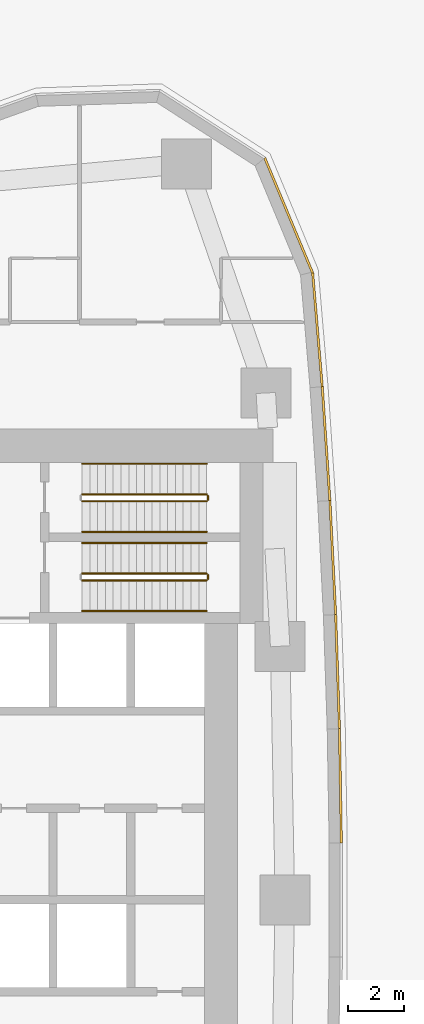
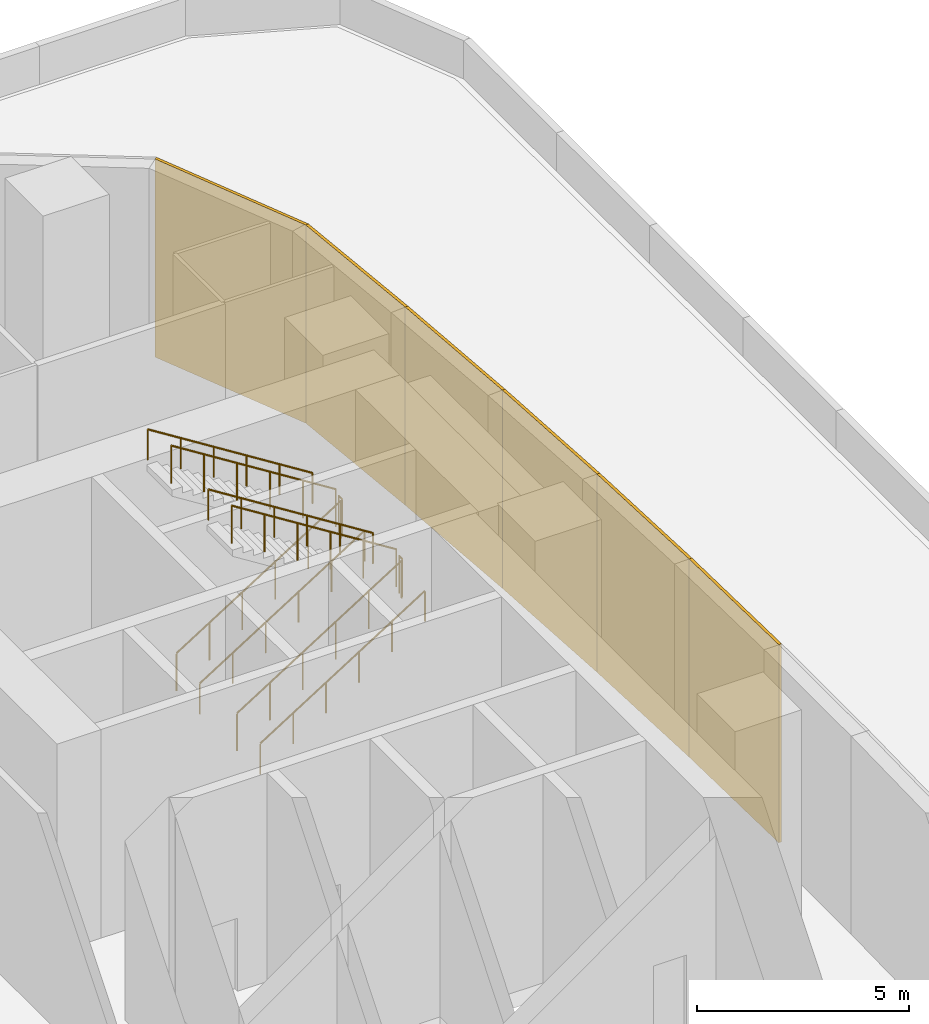
# One storey, part 13 of 14: 10 railings, 6 coverings.
"""IFC4 building model written with IfcOpenShell, lengths in metres."""

from ifc_helpers import new_model, si_unit, direction, frame, origin, origin_2d, place, context, subcontext, project, spatial, polyline, circle, outline, extrude, material, layer, layer_set, type_object, element, save


model = new_model("IFC4")

# Units and contexts
model_context = context("Model", 3, precision=1e-05, world=origin(), true_north=direction((0.0, 1.0)))
body_context = subcontext(model_context, "Body", "Model", "MODEL_VIEW")
ifc_project = project(units=[si_unit("LENGTHUNIT", "METRE"), si_unit("AREAUNIT", "SQUARE_METRE"), si_unit("VOLUMEUNIT", "CUBIC_METRE"), si_unit("PLANEANGLEUNIT", "RADIAN"), si_unit("MASSUNIT", "GRAM", prefix="KILO")], contexts=[model_context])

# Site, building, storey
site_placement = place(None, origin())
site = spatial("IfcSite", under=ifc_project, at=site_placement, CompositionType="ELEMENT")
building_placement = place(site_placement, origin())
building = spatial("IfcBuilding", under=site, at=building_placement, Name="Ostrand Prow Hotel Tower", CompositionType="ELEMENT")
storey_placement = place(building_placement, frame((0.0, 0.0, 29.0)))
storey = spatial("IfcBuildingStorey", under=building, at=storey_placement, Name="L05", CompositionType="ELEMENT", Elevation=29.0)

# Railings
ifc_material_1 = material(Name="Painted steel", Category="steel")
railing_type_1 = type_object("IfcRailingType", Name="Stair guard 1100", PredefinedType="GUARDRAIL", material=ifc_material_1)
railing_1_placement = place(storey_placement, frame((57.199951171875, 11.5, 0.176513671875)))
element("IfcRailing", 1, at=railing_1_placement, inside=storey, type_object=railing_type_1, Name="L05 ST1B stair guard 1", PredefinedType="GUARDRAIL", context=body_context, shape_type="SweptSolid", body=[
    extrude(circle(Radius=0.02392578125, at=origin_2d()), frame((0.0, 0.0, 1.076171875), z_axis=(0.845997938375, 0.0, 0.533186166611), x_axis=(0.0, 1.0, 0.0)), (0.0, 0.0, 1.0), 5.29541015625),
    extrude(circle(Radius=0.02099609375, at=origin_2d()), origin(), (0.0, 0.0, 1.0), 1.052001953125),
    extrude(circle(Radius=0.02099609375, at=origin_2d()), frame((0.89599609375, 0.0, 0.564697265625)), (0.0, 0.0, 1.0), 1.052001953125),
    extrude(circle(Radius=0.02099609375, at=origin_2d()), frame((1.7919921875, 0.0, 1.12939453125)), (0.0, 0.0, 1.0), 1.052001953125),
    extrude(circle(Radius=0.02099609375, at=origin_2d()), frame((2.68798828125, 0.0, 1.694091796875)), (0.0, 0.0, 1.0), 1.052001953125),
    extrude(circle(Radius=0.02099609375, at=origin_2d()), frame((3.583984375, 0.0, 2.2587890625)), (0.0, 0.0, 1.0), 1.052001953125),
    extrude(circle(Radius=0.02099609375, at=origin_2d()), frame((4.47998046875, 0.0, 2.823486328125)), (0.0, 0.0, 1.0), 1.052001953125),
])
railing_2_placement = place(storey_placement, frame((61.72998046875, 11.550048828125, 3.0)))
element("IfcRailing", 2, at=railing_2_placement, inside=storey, type_object=railing_type_1, Name="L05 ST1B stair guard 2", PredefinedType="GUARDRAIL", context=body_context, shape_type="SweptSolid", body=[
    extrude(circle(Radius=0.02392578125, at=origin_2d()), frame((0.0, 0.0, 1.076171875), z_axis=(0.0, 1.0, 0.0), x_axis=(-1.0, 0.0, 0.0)), (0.0, 0.0, 1.0), 0.14990234375),
    extrude(circle(Radius=0.02099609375, at=origin_2d()), origin(), (0.0, 0.0, 1.0), 1.052001953125),
    extrude(circle(Radius=0.02099609375, at=origin_2d()), frame((0.0, 0.14990234375, 0.0)), (0.0, 0.0, 1.0), 1.052001953125),
])
railing_3_placement = place(storey_placement, frame((61.679931640625, 11.75, 3.176513671875)))
element("IfcRailing", 3, at=railing_3_placement, inside=storey, type_object=railing_type_1, Name="L05 ST1B stair guard 3", PredefinedType="GUARDRAIL", context=body_context, shape_type="SweptSolid", body=[
    extrude(circle(Radius=0.02392578125, at=origin_2d()), frame((0.0, 0.0, 1.076171875), z_axis=(-0.845997938375, 0.0, 0.533186166611), x_axis=(0.0, -1.0, 0.0)), (0.0, 0.0, 1.0), 5.29541015625),
    extrude(circle(Radius=0.02099609375, at=origin_2d()), origin(), (0.0, 0.0, 1.0), 1.052001953125),
    extrude(circle(Radius=0.02099609375, at=origin_2d()), frame((-0.89599609375, 0.0, 0.564697265625)), (0.0, 0.0, 1.0), 1.052001953125),
    extrude(circle(Radius=0.02099609375, at=origin_2d()), frame((-1.7919921875, 0.0, 1.12939453125)), (0.0, 0.0, 1.0), 1.052001953125),
    extrude(circle(Radius=0.02099609375, at=origin_2d()), frame((-2.68798828125, 0.0, 1.694091796875)), (0.0, 0.0, 1.0), 1.052001953125),
    extrude(circle(Radius=0.02099609375, at=origin_2d()), frame((-3.583984375, 0.0, 2.2587890625)), (0.0, 0.0, 1.0), 1.052001953125),
    extrude(circle(Radius=0.02099609375, at=origin_2d()), frame((-4.47998046875, 0.0, 2.823486328125)), (0.0, 0.0, 1.0), 1.052001953125),
])
railing_4_placement = place(storey_placement, frame((57.199951171875, 14.35009765625, 0.176513671875)))
element("IfcRailing", 4, at=railing_4_placement, inside=storey, type_object=railing_type_1, Name="L05 ST3B stair guard 1", PredefinedType="GUARDRAIL", context=body_context, shape_type="SweptSolid", body=[
    extrude(circle(Radius=0.02392578125, at=origin_2d()), frame((0.0, 0.0, 1.076171875), z_axis=(0.845997938375, 0.0, 0.533186166611), x_axis=(0.0, 1.0, 0.0)), (0.0, 0.0, 1.0), 5.29541015625),
    extrude(circle(Radius=0.02099609375, at=origin_2d()), origin(), (0.0, 0.0, 1.0), 1.052001953125),
    extrude(circle(Radius=0.02099609375, at=origin_2d()), frame((0.89599609375, 0.0, 0.564697265625)), (0.0, 0.0, 1.0), 1.052001953125),
    extrude(circle(Radius=0.02099609375, at=origin_2d()), frame((1.7919921875, 0.0, 1.12939453125)), (0.0, 0.0, 1.0), 1.052001953125),
    extrude(circle(Radius=0.02099609375, at=origin_2d()), frame((2.68798828125, 0.0, 1.694091796875)), (0.0, 0.0, 1.0), 1.052001953125),
    extrude(circle(Radius=0.02099609375, at=origin_2d()), frame((3.583984375, 0.0, 2.2587890625)), (0.0, 0.0, 1.0), 1.052001953125),
    extrude(circle(Radius=0.02099609375, at=origin_2d()), frame((4.47998046875, 0.0, 2.823486328125)), (0.0, 0.0, 1.0), 1.052001953125),
])
railing_5_placement = place(storey_placement, frame((61.72998046875, 14.39990234375, 3.0)))
element("IfcRailing", 5, at=railing_5_placement, inside=storey, type_object=railing_type_1, Name="L05 ST3B stair guard 2", PredefinedType="GUARDRAIL", context=body_context, shape_type="SweptSolid", body=[
    extrude(circle(Radius=0.02392578125, at=origin_2d()), frame((0.0, 0.0, 1.076171875), z_axis=(0.0, 1.0, 0.0), x_axis=(-1.0, 0.0, 0.0)), (0.0, 0.0, 1.0), 0.150146484375),
    extrude(circle(Radius=0.02099609375, at=origin_2d()), origin(), (0.0, 0.0, 1.0), 1.052001953125),
    extrude(circle(Radius=0.02099609375, at=origin_2d()), frame((0.0, 0.150146484375, 0.0)), (0.0, 0.0, 1.0), 1.052001953125),
])
railing_6_placement = place(storey_placement, frame((61.679931640625, 14.60009765625, 3.176513671875)))
element("IfcRailing", 6, at=railing_6_placement, inside=storey, type_object=railing_type_1, Name="L05 ST3B stair guard 3", PredefinedType="GUARDRAIL", context=body_context, shape_type="SweptSolid", body=[
    extrude(circle(Radius=0.02392578125, at=origin_2d()), frame((0.0, 0.0, 1.076171875), z_axis=(-0.845997938375, 0.0, 0.533186166611), x_axis=(0.0, -1.0, 0.0)), (0.0, 0.0, 1.0), 5.29541015625),
    extrude(circle(Radius=0.02099609375, at=origin_2d()), origin(), (0.0, 0.0, 1.0), 1.052001953125),
    extrude(circle(Radius=0.02099609375, at=origin_2d()), frame((-0.89599609375, 0.0, 0.564697265625)), (0.0, 0.0, 1.0), 1.052001953125),
    extrude(circle(Radius=0.02099609375, at=origin_2d()), frame((-1.7919921875, 0.0, 1.12939453125)), (0.0, 0.0, 1.0), 1.052001953125),
    extrude(circle(Radius=0.02099609375, at=origin_2d()), frame((-2.68798828125, 0.0, 1.694091796875)), (0.0, 0.0, 1.0), 1.052001953125),
    extrude(circle(Radius=0.02099609375, at=origin_2d()), frame((-3.583984375, 0.0, 2.2587890625)), (0.0, 0.0, 1.0), 1.052001953125),
    extrude(circle(Radius=0.02099609375, at=origin_2d()), frame((-4.47998046875, 0.0, 2.823486328125)), (0.0, 0.0, 1.0), 1.052001953125),
])
ifc_material_2 = material(Name="Stainless steel", Category="steel")
railing_type_2 = type_object("IfcRailingType", Name="Stair handrail 900", PredefinedType="HANDRAIL", material=ifc_material_2)
railing_7_placement = place(storey_placement, frame((57.199951171875, 10.39990234375, 0.176513671875)))
element("IfcRailing", 7, at=railing_7_placement, inside=storey, type_object=railing_type_2, Name="L05 ST1B stair handrail 1", PredefinedType="HANDRAIL", context=body_context, shape_type="SweptSolid", body=[
    extrude(circle(Radius=0.02392578125, at=origin_2d()), frame((0.0, 0.0, 0.8759765625), z_axis=(0.845997938375, 0.0, 0.533186166611), x_axis=(0.0, 1.0, 0.0)), (0.0, 0.0, 1.0), 5.29541015625),
    extrude(circle(Radius=0.02099609375, at=origin_2d()), origin(), (0.0, 0.0, 1.0), 0.851806640625),
    extrude(circle(Radius=0.02099609375, at=origin_2d()), frame((0.89599609375, 0.0, 0.564697265625)), (0.0, 0.0, 1.0), 0.851806640625),
    extrude(circle(Radius=0.02099609375, at=origin_2d()), frame((1.7919921875, 0.0, 1.12939453125)), (0.0, 0.0, 1.0), 0.851806640625),
    extrude(circle(Radius=0.02099609375, at=origin_2d()), frame((2.68798828125, 0.0, 1.694091796875)), (0.0, 0.0, 1.0), 0.851806640625),
    extrude(circle(Radius=0.02099609375, at=origin_2d()), frame((3.583984375, 0.0, 2.2587890625)), (0.0, 0.0, 1.0), 0.851806640625),
    extrude(circle(Radius=0.02099609375, at=origin_2d()), frame((4.47998046875, 0.0, 2.823486328125)), (0.0, 0.0, 1.0), 0.851806640625),
])
railing_8_placement = place(storey_placement, frame((61.679931640625, 12.85009765625, 3.176513671875)))
element("IfcRailing", 8, at=railing_8_placement, inside=storey, type_object=railing_type_2, Name="L05 ST1B stair handrail 2", PredefinedType="HANDRAIL", context=body_context, shape_type="SweptSolid", body=[
    extrude(circle(Radius=0.02392578125, at=origin_2d()), frame((0.0, 0.0, 0.8759765625), z_axis=(-0.845997938375, 0.0, 0.533186166611), x_axis=(0.0, -1.0, 0.0)), (0.0, 0.0, 1.0), 5.29541015625),
    extrude(circle(Radius=0.02099609375, at=origin_2d()), origin(), (0.0, 0.0, 1.0), 0.851806640625),
    extrude(circle(Radius=0.02099609375, at=origin_2d()), frame((-0.89599609375, 0.0, 0.564697265625)), (0.0, 0.0, 1.0), 0.851806640625),
    extrude(circle(Radius=0.02099609375, at=origin_2d()), frame((-1.7919921875, 0.0, 1.12939453125)), (0.0, 0.0, 1.0), 0.851806640625),
    extrude(circle(Radius=0.02099609375, at=origin_2d()), frame((-2.68798828125, 0.0, 1.694091796875)), (0.0, 0.0, 1.0), 0.851806640625),
    extrude(circle(Radius=0.02099609375, at=origin_2d()), frame((-3.583984375, 0.0, 2.2587890625)), (0.0, 0.0, 1.0), 0.851806640625),
    extrude(circle(Radius=0.02099609375, at=origin_2d()), frame((-4.47998046875, 0.0, 2.823486328125)), (0.0, 0.0, 1.0), 0.851806640625),
])
railing_9_placement = place(storey_placement, frame((57.199951171875, 13.25, 0.176513671875)))
element("IfcRailing", 9, at=railing_9_placement, inside=storey, type_object=railing_type_2, Name="L05 ST3B stair handrail 1", PredefinedType="HANDRAIL", context=body_context, shape_type="SweptSolid", body=[
    extrude(circle(Radius=0.02392578125, at=origin_2d()), frame((0.0, 0.0, 0.8759765625), z_axis=(0.845997938375, 0.0, 0.533186166611), x_axis=(0.0, 1.0, 0.0)), (0.0, 0.0, 1.0), 5.29541015625),
    extrude(circle(Radius=0.02099609375, at=origin_2d()), origin(), (0.0, 0.0, 1.0), 0.851806640625),
    extrude(circle(Radius=0.02099609375, at=origin_2d()), frame((0.89599609375, 0.0, 0.564697265625)), (0.0, 0.0, 1.0), 0.851806640625),
    extrude(circle(Radius=0.02099609375, at=origin_2d()), frame((1.7919921875, 0.0, 1.12939453125)), (0.0, 0.0, 1.0), 0.851806640625),
    extrude(circle(Radius=0.02099609375, at=origin_2d()), frame((2.68798828125, 0.0, 1.694091796875)), (0.0, 0.0, 1.0), 0.851806640625),
    extrude(circle(Radius=0.02099609375, at=origin_2d()), frame((3.583984375, 0.0, 2.2587890625)), (0.0, 0.0, 1.0), 0.851806640625),
    extrude(circle(Radius=0.02099609375, at=origin_2d()), frame((4.47998046875, 0.0, 2.823486328125)), (0.0, 0.0, 1.0), 0.851806640625),
])
railing_10_placement = place(storey_placement, frame((61.679931640625, 15.699951171875, 3.176513671875)))
element("IfcRailing", 10, at=railing_10_placement, inside=storey, type_object=railing_type_2, Name="L05 ST3B stair handrail 2", PredefinedType="HANDRAIL", context=body_context, shape_type="SweptSolid", body=[
    extrude(circle(Radius=0.02392578125, at=origin_2d()), frame((0.0, 0.0, 0.8759765625), z_axis=(-0.845997938375, 0.0, 0.533186166611), x_axis=(0.0, -1.0, 0.0)), (0.0, 0.0, 1.0), 5.29541015625),
    extrude(circle(Radius=0.02099609375, at=origin_2d()), origin(), (0.0, 0.0, 1.0), 0.851806640625),
    extrude(circle(Radius=0.02099609375, at=origin_2d()), frame((-0.89599609375, 0.0, 0.564697265625)), (0.0, 0.0, 1.0), 0.851806640625),
    extrude(circle(Radius=0.02099609375, at=origin_2d()), frame((-1.7919921875, 0.0, 1.12939453125)), (0.0, 0.0, 1.0), 0.851806640625),
    extrude(circle(Radius=0.02099609375, at=origin_2d()), frame((-2.68798828125, 0.0, 1.694091796875)), (0.0, 0.0, 1.0), 0.851806640625),
    extrude(circle(Radius=0.02099609375, at=origin_2d()), frame((-3.583984375, 0.0, 2.2587890625)), (0.0, 0.0, 1.0), 0.851806640625),
    extrude(circle(Radius=0.02099609375, at=origin_2d()), frame((-4.47998046875, 0.0, 2.823486328125)), (0.0, 0.0, 1.0), 0.851806640625),
])

# Coverings
ifc_material_3 = material(Name="Limestone cladding", Category="masonry")
ifc_layer = layer(ifc_material_3, 0.080078125)
ifc_layer_set = layer_set([ifc_layer], Name="Limestone cladding")
covering_type = type_object("IfcCoveringType", Name="Warm limestone cladding 80 mm", PredefinedType="CLADDING", material=ifc_layer_set)
covering_1_placement = place(storey_placement, frame((66.531494140625, 2.054443359375, 0.0), z_axis=(0.0, 0.0, 1.0), x_axis=(-0.016813832932, 0.999858637519, 0.0)))
element("IfcCovering", 11, at=covering_1_placement, inside=storey, type_object=covering_type, Name="Limestone cladding prow 26", PredefinedType="CLADDING", context=body_context, shape_type="SweptSolid", body=[
    extrude(outline(polyline([(-0.000244140625, -0.0400390625), (4.109375, -0.0400390625), (4.10888671875, 0.0400390625), (0.000244140625, 0.0400390625), (-0.000244140625, -0.0400390625)])), origin(), (0.0, 0.0, 1.0), 5.699951171875),
])
covering_2_placement = place(storey_placement, frame((66.46240234375, 6.1630859375, 0.0), z_axis=(0.0, 0.0, 1.0), x_axis=(-0.033510685133, 0.999438359271, 0.0)))
element("IfcCovering", 12, at=covering_2_placement, inside=storey, type_object=covering_type, Name="Limestone cladding prow 27", PredefinedType="CLADDING", context=body_context, shape_type="SweptSolid", body=[
    extrude(outline(polyline([(-0.000244140625, -0.0400390625), (4.109130859375, -0.0400390625), (4.108642578125, 0.0400390625), (0.000244140625, 0.0400390625), (-0.000244140625, -0.0400390625)])), origin(), (0.0, 0.0, 1.0), 5.699951171875),
])
covering_3_placement = place(storey_placement, frame((66.32470703125, 10.269775390625, 0.0), z_axis=(0.0, 0.0, 1.0), x_axis=(-0.050322834858, 0.998733003506, 0.0)))
element("IfcCovering", 13, at=covering_3_placement, inside=storey, type_object=covering_type, Name="Limestone cladding prow 28", PredefinedType="CLADDING", context=body_context, shape_type="SweptSolid", body=[
    extrude(outline(polyline([(-0.000244140625, -0.0400390625), (4.109375, -0.0400390625), (4.10888671875, 0.0400390625), (0.000244140625, 0.0400390625), (-0.000244140625, -0.0400390625)])), origin(), (0.0, 0.0, 1.0), 5.699951171875),
])
covering_4_placement = place(storey_placement, frame((66.117919921875, 14.373779296875, 0.0), z_axis=(0.0, 0.0, 1.0), x_axis=(-0.067082945272, 0.997747402128, 0.0)))
element("IfcCovering", 14, at=covering_4_placement, inside=storey, type_object=covering_type, Name="Limestone cladding prow 29", PredefinedType="CLADDING", context=body_context, shape_type="SweptSolid", body=[
    extrude(outline(polyline([(-0.000244140625, -0.0400390625), (4.109130859375, -0.0400390625), (4.108642578125, 0.0400390625), (0.000244140625, 0.0400390625), (-0.000244140625, -0.0400390625)])), origin(), (0.0, 0.0, 1.0), 5.699951171875),
])
covering_5_placement = place(storey_placement, frame((65.84228515625, 18.473388671875, 0.0), z_axis=(0.0, 0.0, 1.0), x_axis=(-0.083832168034, 0.996479888208, 0.0)))
element("IfcCovering", 15, at=covering_5_placement, inside=storey, type_object=covering_type, Name="Limestone cladding prow 30", PredefinedType="CLADDING", context=body_context, shape_type="SweptSolid", body=[
    extrude(outline(polyline([(-0.000244140625, -0.0400390625), (4.115478515625, -0.0400390625), (4.102783203125, 0.0400390625), (0.000244140625, 0.0400390625), (-0.000244140625, -0.0400390625)])), origin(), (0.0, 0.0, 1.0), 5.699951171875),
])
covering_6_placement = place(storey_placement, frame((65.497802734375, 22.568115234375, 0.0), z_axis=(0.0, 0.0, 1.0), x_axis=(-0.38436048622, 0.923183089443, 0.0)))
element("IfcCovering", 16, at=covering_6_placement, inside=storey, type_object=covering_type, Name="Limestone cladding prow 31", PredefinedType="CLADDING", context=body_context, shape_type="SweptSolid", body=[
    extrude(outline(polyline([(-0.00634765625, -0.0400390625), (4.501220703125, -0.0400390625), (4.476318359375, 0.0400390625), (0.00634765625, 0.0400390625), (-0.00634765625, -0.0400390625)])), origin(), (0.0, 0.0, 1.0), 5.699951171875),
])

save(model, "model.ifc")
